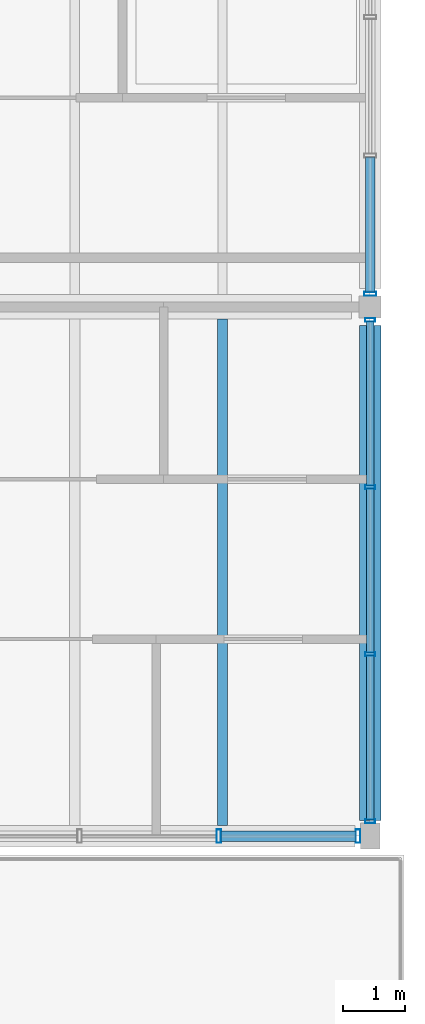
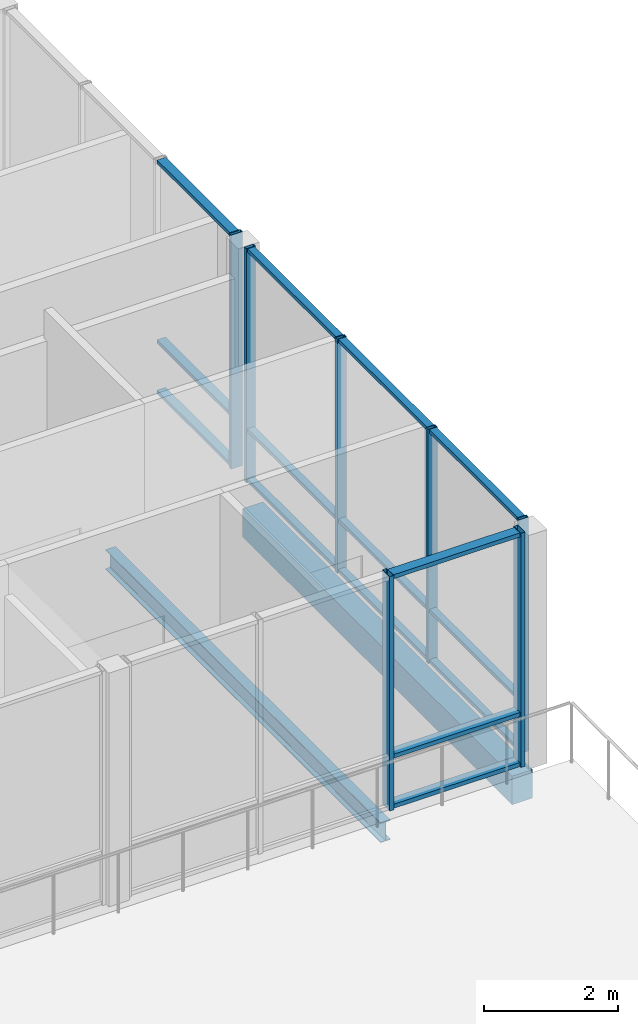
# One storey, part 93 of 146: 22 members, 2 beams, 3 elements without a shape of their own.
"""IFC4 building model written with IfcOpenShell, lengths in metres."""

import ifcopenshell
import ifcopenshell.guid

model = None  # the IFC model being written
_history = None  # IfcOwnerHistory: only IFC2X3 demands one
_inside = {}  # id of a spatial element -> (the spatial element, [elements in it])
_under = {}  # id of a project, library or spatial element -> (it, [spatial elements below it])
_declared = {}  # id of a project -> (the project, [libraries it declares])
_typed = {}  # id of a type object -> (the type object, [elements of that type])
_made_of = {}  # id of a material, layer set ... -> (it, [elements and type objects made of it])


def new_model(schema):
    """Start an empty IFC model of exactly this schema.

    Asked for "IFC4X3", IfcOpenShell would pick the latest addendum, in which some entities
    have other attributes; the version numbers below select the first issue.
    IFC2X3 requires an IfcOwnerHistory on every rooted entity: one is made here for all.
    """
    global model, _history
    if schema == "IFC4X3":
        model = ifcopenshell.file(schema_version=(4, 3, 0, 0))
    else:
        model = ifcopenshell.file(schema=schema)
    _inside.clear()
    _under.clear()
    _declared.clear()
    _typed.clear()
    _made_of.clear()
    _history = None
    if model.schema == "IFC2X3":
        org = make("IfcOrganization", Name="unknown")
        user = make(
            "IfcPersonAndOrganization",
            ThePerson=make("IfcPerson", FamilyName="unknown"),
            TheOrganization=org,
        )
        app = make(
            "IfcApplication",
            ApplicationDeveloper=org,
            Version="unknown",
            ApplicationFullName="unknown",
            ApplicationIdentifier="unknown",
        )
        _history = make(
            "IfcOwnerHistory",
            OwningUser=user,
            OwningApplication=app,
            ChangeAction="ADDED",
            CreationDate=0,
        )
    return model


def make(cls, **values):
    """One entity of the class cls with the attributes given. An attribute that is None is left unset."""
    return model.create_entity(
        cls, **{name: value for name, value in values.items() if value is not None}
    )


def rooted(cls, **values):
    """An entity with a GlobalId (a new one), such as an element, a storey or a relation."""
    return make(cls, GlobalId=ifcopenshell.guid.new(), OwnerHistory=_history, **values)


def si_unit(unit_type, name, prefix=None):
    """IfcSIUnit, for example si_unit("LENGTHUNIT", "METRE", prefix="MILLI")."""
    return make("IfcSIUnit", UnitType=unit_type, Prefix=prefix, Name=name)


def assignment(units):
    """IfcUnitAssignment: the units of a project."""
    return None if units is None else make("IfcUnitAssignment", Units=units)


def point(xyz):
    """IfcCartesianPoint."""
    return None if xyz is None else make("IfcCartesianPoint", Coordinates=xyz)


def direction(xyz):
    """IfcDirection."""
    return None if xyz is None else make("IfcDirection", DirectionRatios=xyz)


def frame(location, z_axis=None, x_axis=None):
    """IfcAxis2Placement3D, a coordinate frame: its origin and axes. An axis left out is left unset."""
    return make(
        "IfcAxis2Placement3D",
        Location=point(location),
        Axis=direction(z_axis),
        RefDirection=direction(x_axis),
    )


def frame_2d(location, x_axis=None):
    """IfcAxis2Placement2D, a coordinate frame in the plane: its origin and x axis."""
    return make(
        "IfcAxis2Placement2D", Location=point(location), RefDirection=direction(x_axis)
    )


def origin():
    """The frame at (0, 0, 0) with its axes left unset."""
    return frame((0.0, 0.0, 0.0))


def origin_2d():
    """The frame at (0, 0) in the plane with its x axis left unset."""
    return frame_2d((0.0, 0.0))


def place(relative_to, where):
    """IfcLocalPlacement: puts the frame where relative to a parent placement (None: the world)."""
    return make(
        "IfcLocalPlacement", PlacementRelTo=relative_to, RelativePlacement=where
    )


def context(
    kind, dimensions, precision=None, world=None, true_north=None, identifier=None
):
    """IfcGeometricRepresentationContext, for example the 3D "Model" context."""
    return make(
        "IfcGeometricRepresentationContext",
        ContextIdentifier=identifier,
        ContextType=kind,
        CoordinateSpaceDimension=dimensions,
        Precision=precision,
        WorldCoordinateSystem=world,
        TrueNorth=true_north,
    )


def subcontext(parent, identifier, kind, view, scale=None):
    """IfcGeometricRepresentationSubContext, for example "Body" below "Model"."""
    return make(
        "IfcGeometricRepresentationSubContext",
        ContextIdentifier=identifier,
        ContextType=kind,
        ParentContext=parent,
        TargetScale=scale,
        TargetView=view,
    )


def project(units=None, contexts=None):
    """IfcProject with its units and contexts."""
    return rooted(
        "IfcProject",
        Name="project",
        RepresentationContexts=contexts,
        UnitsInContext=assignment(units),
    )


def spatial(cls, under=None, at=None, **own):
    """A site, building, storey or space (cls), placed at a placement, below another one or the project."""
    s = rooted(cls, ObjectPlacement=at, **own)
    if under is not None:
        _under.setdefault(under.id(), (under, []))[1].append(s)
    return s


def profile(cls, at=None, kind="AREA", **sizes):
    """A parametric profile (cls). Its sizes go by their IFC names, for example OverallWidth=200.0."""
    return make(cls, ProfileType=kind, Position=at, **sizes)


def rectangle(**sizes):
    """IfcRectangleProfileDef."""
    return profile("IfcRectangleProfileDef", **sizes)


def hollow_rectangle(**sizes):
    """IfcRectangleHollowProfileDef."""
    return profile("IfcRectangleHollowProfileDef", **sizes)


def i_section(**sizes):
    """IfcIShapeProfileDef."""
    return profile("IfcIShapeProfileDef", **sizes)


def extrude(swept, where, along, depth):
    """IfcExtrudedAreaSolid: the profile swept, set in the frame where, extruded along a direction by depth."""
    return make(
        "IfcExtrudedAreaSolid",
        SweptArea=swept,
        Position=where,
        ExtrudedDirection=direction(along),
        Depth=depth,
    )


def shape(context_of_items, identifier, shape_type, items):
    """IfcShapeRepresentation: the items that make up one representation, for example the "Body"."""
    return make(
        "IfcShapeRepresentation",
        ContextOfItems=context_of_items,
        RepresentationIdentifier=identifier,
        RepresentationType=shape_type,
        Items=items,
    )


def material(Name=None, Category=None):
    """IfcMaterial."""
    return make("IfcMaterial", Name=Name, Category=Category)


def material_profile(
    of_material, cross_section, Name=None, Category=None, Priority=None
):
    """IfcMaterialProfile: a cross section and its material."""
    return make(
        "IfcMaterialProfile",
        Name=Name,
        Material=of_material,
        Profile=cross_section,
        Priority=Priority,
        Category=Category,
    )


def profile_set(profiles, Name=None, composite=None):
    """IfcMaterialProfileSet."""
    return make(
        "IfcMaterialProfileSet",
        Name=Name,
        MaterialProfiles=profiles,
        CompositeProfile=composite,
    )


def made_of(thing, what):
    """Note that an element or type object is made of a material, layer set ...; save() writes the relation."""
    if what is not None:
        _made_of.setdefault(what.id(), (what, []))[1].append(thing)
    return thing


def type_object(cls, material=None, **own):
    """A type object (cls), such as IfcWallType, which elements share."""
    return made_of(rooted(cls, **own), material)


def element(
    cls,
    number,
    at=None,
    inside=None,
    cuts=None,
    type_object=None,
    material=None,
    context=None,
    identifier="Body",
    shape_type=None,
    held_by="IfcProductDefinitionShape",
    body=None,
    shapes=None,
    **own,
):
    """One element of the class cls, such as IfcWall. Its Tag is "e" and its number.

    at: its placement. inside: the storey or other place that contains it. cuts: it is an
    opening in that element (IfcRelVoidsElement). A single representation is given by context,
    identifier, shape_type and body (its items); several are given by shapes. held_by: the class
    of the entity that holds the representations. save() writes the other relations.
    """
    e = rooted(cls, Tag="e%d" % number, ObjectPlacement=at, **own)
    if body is not None:
        shapes = [shape(context, identifier, shape_type, body)]
    if shapes is not None:
        e.Representation = make(held_by, Representations=shapes)
    if inside is not None:
        _inside.setdefault(inside.id(), (inside, []))[1].append(e)
    if cuts is not None:
        rooted(
            "IfcRelVoidsElement", RelatingBuildingElement=cuts, RelatedOpeningElement=e
        )
    if type_object is not None:
        _typed.setdefault(type_object.id(), (type_object, []))[1].append(e)
    return made_of(e, material)


def aggregate(whole, parts):
    """IfcRelAggregates: a whole, such as a stair, and the parts it consists of."""
    return rooted("IfcRelAggregates", RelatingObject=whole, RelatedObjects=parts)


def save(model, path):
    """Write the relations noted so far, then the file.

    IfcRelAggregates (storeys below a building ...), IfcRelContainedInSpatialStructure (elements
    in a storey), IfcRelDefinesByType, IfcRelAssociatesMaterial and IfcRelDeclares: one each for
    every whole, place, type object, material and project.
    """
    for whole, parts in _under.values():
        aggregate(whole, parts)
    for where, things in _inside.values():
        rooted(
            "IfcRelContainedInSpatialStructure",
            RelatedElements=things,
            RelatingStructure=where,
        )
    for kind, things in _typed.values():
        rooted("IfcRelDefinesByType", RelatedObjects=things, RelatingType=kind)
    for what, things in _made_of.values():
        rooted("IfcRelAssociatesMaterial", RelatedObjects=things, RelatingMaterial=what)
    for by, libraries in _declared.values():
        rooted("IfcRelDeclares", RelatingContext=by, RelatedDefinitions=libraries)
    model.write(path)


model = new_model("IFC4")

# Units and contexts
model_context = context("Model", 3, precision=1e-05, world=origin(), true_north=direction((0.0, 1.0)))
body_context = subcontext(model_context, "Body", "Model", "MODEL_VIEW")
ifc_project = project(units=[si_unit("LENGTHUNIT", "METRE"), si_unit("AREAUNIT", "SQUARE_METRE"), si_unit("VOLUMEUNIT", "CUBIC_METRE"), si_unit("PLANEANGLEUNIT", "RADIAN"), si_unit("MASSUNIT", "GRAM", prefix="KILO")], contexts=[model_context])

# Site, building, storey
site_placement = place(None, origin())
site = spatial("IfcSite", under=ifc_project, at=site_placement, CompositionType="ELEMENT")
building_placement = place(site_placement, origin())
building = spatial("IfcBuilding", under=site, at=building_placement, Name="Hawrajan Terrace Health Centre", CompositionType="ELEMENT")
storey_placement = place(building_placement, frame((0.0, 0.0, 4.5)))
storey = spatial("IfcBuildingStorey", under=building, at=storey_placement, Name="L01", CompositionType="ELEMENT", Elevation=4.5)

# Curtain wall, members
ifc_material_1 = material(Name="Anodized bronze aluminium and low-E solar glazing", Category="aluminium")
curtain_wall_type_1 = type_object("IfcCurtainWallType", Name="CW_Clerestory_SeriesG3", PredefinedType="USERDEFINED", material=ifc_material_1)
curtain_wall_1_placement = place(storey_placement, origin())
curtain_wall_1 = element("IfcCurtainWall", 1, at=curtain_wall_1_placement, inside=storey, type_object=curtain_wall_type_1, Name="Curtain wall CW-L01-114", ObjectType="UNITISED CURTAIN WALL", PredefinedType="USERDEFINED")
ifc_material_2 = material(Name="Anodized bronze aluminium 6063-T6", Category="aluminium")
ifc_material_profile_1 = material_profile(ifc_material_2, hollow_rectangle(XDim=0.06494140625, YDim=0.159912109375, WallThickness=0.00390625, at=origin_2d()), Name="CW MUL 65x160")
ifc_profile_set_1 = profile_set([ifc_material_profile_1], Name="Anodized bronze aluminium 6063-T6")
member_type_1 = type_object("IfcMemberType", Name="CWMullion_65x160", PredefinedType="MULLION", material=ifc_profile_set_1)
member_1_placement = place(storey_placement, frame((165.39990234375, 37.04248046875, -0.0048828125), z_axis=(0.0, 0.0, 1.0), x_axis=(0.0, 1.0, 0.0)))
member_1 = element("IfcMember", 2, at=member_1_placement, type_object=member_type_1, Name="Mullion CW-L01-114-M1", PredefinedType="MULLION", context=body_context, shape_type="SweptSolid", body=[
    extrude(hollow_rectangle(XDim=0.06494140625, YDim=0.159912109375, WallThickness=0.00390625, at=origin_2d()), origin(), (0.0, 0.0, 1.0), 4.269775390625),
])
member_2_placement = place(storey_placement, frame((165.39990234375, 39.757568359375, -0.0048828125), z_axis=(0.0, 0.0, 1.0), x_axis=(0.0, 1.0, 0.0)))
member_2 = element("IfcMember", 3, at=member_2_placement, type_object=member_type_1, Name="Mullion CW-L01-114-M2", PredefinedType="MULLION", context=body_context, shape_type="SweptSolid", body=[
    extrude(hollow_rectangle(XDim=0.06494140625, YDim=0.159912109375, WallThickness=0.00390625, at=origin_2d()), origin(), (0.0, 0.0, 1.0), 4.269775390625),
])
member_3_placement = place(storey_placement, frame((165.39990234375, 42.472412109375, -0.0048828125), z_axis=(0.0, 0.0, 1.0), x_axis=(0.0, 1.0, 0.0)))
member_3 = element("IfcMember", 4, at=member_3_placement, type_object=member_type_1, Name="Mullion CW-L01-114-M3", PredefinedType="MULLION", context=body_context, shape_type="SweptSolid", body=[
    extrude(hollow_rectangle(XDim=0.06494140625, YDim=0.159912109375, WallThickness=0.00390625, at=origin_2d()), origin(), (0.0, 0.0, 1.0), 4.269775390625),
])
member_4_placement = place(storey_placement, frame((165.39990234375, 45.1875, -0.0048828125), z_axis=(0.0, 0.0, 1.0), x_axis=(0.0, 1.0, 0.0)))
member_4 = element("IfcMember", 5, at=member_4_placement, type_object=member_type_1, Name="Mullion CW-L01-114-M4", PredefinedType="MULLION", context=body_context, shape_type="SweptSolid", body=[
    extrude(hollow_rectangle(XDim=0.06494140625, YDim=0.159912109375, WallThickness=0.00390625, at=origin_2d()), origin(), (0.0, 0.0, 1.0), 4.269775390625),
])

# Curtain wall, member
curtain_wall_type_2 = type_object("IfcCurtainWallType", Name="CW_Vestibule_SeriesH1", PredefinedType="USERDEFINED", material=ifc_material_1)
curtain_wall_2_placement = place(storey_placement, origin())
curtain_wall_2 = element("IfcCurtainWall", 6, at=curtain_wall_2_placement, inside=storey, type_object=curtain_wall_type_2, Name="Curtain wall CW-L01-115", ObjectType="UNITISED CURTAIN WALL", PredefinedType="USERDEFINED")
ifc_material_profile_2 = material_profile(ifc_material_2, hollow_rectangle(XDim=0.06494140625, YDim=0.199951171875, WallThickness=0.00439453125, at=origin_2d()), Name="CW MUL 65x200")
ifc_profile_set_2 = profile_set([ifc_material_profile_2], Name="Anodized bronze aluminium 6063-T6")
member_type_2 = type_object("IfcMemberType", Name="CWMullion_65x200", PredefinedType="MULLION", material=ifc_profile_set_2)
member_5_placement = place(storey_placement, frame((165.39990234375, 45.612548828125, -0.0048828125), z_axis=(0.0, 0.0, 1.0), x_axis=(0.0, 1.0, 0.0)))
member_5 = element("IfcMember", 7, at=member_5_placement, type_object=member_type_2, Name="Mullion CW-L01-115-M1", PredefinedType="MULLION", context=body_context, shape_type="SweptSolid", body=[
    extrude(hollow_rectangle(XDim=0.06494140625, YDim=0.199951171875, WallThickness=0.00439453125, at=origin_2d()), origin(), (0.0, 0.0, 1.0), 4.269775390625),
])

# Curtain wall, members
curtain_wall_type_3 = type_object("IfcCurtainWallType", Name="CW_Clerestory_SeriesG2", PredefinedType="USERDEFINED", material=ifc_material_1)
curtain_wall_3_placement = place(storey_placement, origin())
curtain_wall_3 = element("IfcCurtainWall", 8, at=curtain_wall_3_placement, inside=storey, type_object=curtain_wall_type_3, Name="Curtain wall CW-L01-113", ObjectType="UNITISED CURTAIN WALL", PredefinedType="USERDEFINED")
ifc_material_profile_3 = material_profile(ifc_material_2, hollow_rectangle(XDim=0.074951171875, YDim=0.219970703125, WallThickness=0.0048828125, at=origin_2d()), Name="CW MUL 75x220")
ifc_profile_set_3 = profile_set([ifc_material_profile_3], Name="Anodized bronze aluminium 6063-T6")
member_type_3 = type_object("IfcMemberType", Name="CWMullion_75x220", PredefinedType="MULLION", material=ifc_profile_set_3)
member_6_placement = place(storey_placement, frame((162.94091796875, 36.800048828125, -0.0048828125), z_axis=(0.0, 0.0, 1.0), x_axis=(1.0, 0.0, 0.0)))
member_6 = element("IfcMember", 9, at=member_6_placement, type_object=member_type_3, Name="Mullion CW-L01-113-M3", PredefinedType="MULLION", context=body_context, shape_type="SweptSolid", body=[
    extrude(hollow_rectangle(XDim=0.074951171875, YDim=0.219970703125, WallThickness=0.0048828125, at=origin_2d()), origin(), (0.0, 0.0, 1.0), 4.269775390625),
])
member_7_placement = place(storey_placement, frame((165.202392578125, 36.800048828125, -0.0048828125), z_axis=(0.0, 0.0, 1.0), x_axis=(1.0, 0.0, 0.0)))
member_7 = element("IfcMember", 10, at=member_7_placement, type_object=member_type_3, Name="Mullion CW-L01-113-M4", PredefinedType="MULLION", context=body_context, shape_type="SweptSolid", body=[
    extrude(hollow_rectangle(XDim=0.074951171875, YDim=0.219970703125, WallThickness=0.0048828125, at=origin_2d()), origin(), (0.0, 0.0, 1.0), 4.269775390625),
])

# Member
ifc_material_profile_4 = material_profile(ifc_material_2, hollow_rectangle(XDim=0.06494140625, YDim=0.1201171875, WallThickness=0.00341796875, at=origin_2d()), Name="CW TRN 65x120")
ifc_profile_set_4 = profile_set([ifc_material_profile_4], Name="Anodized bronze aluminium 6063-T6")
member_type_4 = type_object("IfcMemberType", Name="CWTransom_65x120", PredefinedType="USERDEFINED", material=ifc_profile_set_4)
member_8_placement = place(storey_placement, frame((165.39990234375, 37.069091796875, 0.032470703125), z_axis=(0.0, 1.0, 0.0), x_axis=(0.0, 0.0, 1.0)))
member_8 = element("IfcMember", 11, at=member_8_placement, type_object=member_type_4, Name="Transom CW-L01-114-T1-1", ObjectType="TRANSOM", PredefinedType="USERDEFINED", context=body_context, shape_type="SweptSolid", body=[
    extrude(hollow_rectangle(XDim=0.06494140625, YDim=0.1201171875, WallThickness=0.00341796875, at=origin_2d()), origin(), (0.0, 0.0, 1.0), 2.661865234375),
])

member_9_placement = place(storey_placement, frame((165.39990234375, 37.069091796875, 0.949951171875), z_axis=(0.0, 1.0, 0.0), x_axis=(0.0, 0.0, 1.0)))
member_9 = element("IfcMember", 12, at=member_9_placement, type_object=member_type_4, Name="Transom CW-L01-114-T1-2", ObjectType="TRANSOM", PredefinedType="USERDEFINED", context=body_context, shape_type="SweptSolid", body=[
    extrude(hollow_rectangle(XDim=0.06494140625, YDim=0.1201171875, WallThickness=0.00341796875, at=origin_2d()), origin(), (0.0, 0.0, 1.0), 2.661865234375),
])

member_10_placement = place(storey_placement, frame((165.39990234375, 37.069091796875, 4.2275390625), z_axis=(0.0, 1.0, 0.0), x_axis=(0.0, 0.0, 1.0)))
member_10 = element("IfcMember", 13, at=member_10_placement, type_object=member_type_4, Name="Transom CW-L01-114-T1-3", ObjectType="TRANSOM", PredefinedType="USERDEFINED", context=body_context, shape_type="SweptSolid", body=[
    extrude(hollow_rectangle(XDim=0.06494140625, YDim=0.1201171875, WallThickness=0.00341796875, at=origin_2d()), origin(), (0.0, 0.0, 1.0), 2.661865234375),
])

member_11_placement = place(storey_placement, frame((165.39990234375, 39.783935546875, 0.032470703125), z_axis=(0.0, 1.0, 0.0), x_axis=(0.0, 0.0, 1.0)))
member_11 = element("IfcMember", 14, at=member_11_placement, type_object=member_type_4, Name="Transom CW-L01-114-T2-1", ObjectType="TRANSOM", PredefinedType="USERDEFINED", context=body_context, shape_type="SweptSolid", body=[
    extrude(hollow_rectangle(XDim=0.06494140625, YDim=0.1201171875, WallThickness=0.00341796875, at=origin_2d()), origin(), (0.0, 0.0, 1.0), 2.662109375),
])

member_12_placement = place(storey_placement, frame((165.39990234375, 39.783935546875, 0.949951171875), z_axis=(0.0, 1.0, 0.0), x_axis=(0.0, 0.0, 1.0)))
member_12 = element("IfcMember", 15, at=member_12_placement, type_object=member_type_4, Name="Transom CW-L01-114-T2-2", ObjectType="TRANSOM", PredefinedType="USERDEFINED", context=body_context, shape_type="SweptSolid", body=[
    extrude(hollow_rectangle(XDim=0.06494140625, YDim=0.1201171875, WallThickness=0.00341796875, at=origin_2d()), origin(), (0.0, 0.0, 1.0), 2.662109375),
])

member_13_placement = place(storey_placement, frame((165.39990234375, 39.783935546875, 4.2275390625), z_axis=(0.0, 1.0, 0.0), x_axis=(0.0, 0.0, 1.0)))
member_13 = element("IfcMember", 16, at=member_13_placement, type_object=member_type_4, Name="Transom CW-L01-114-T2-3", ObjectType="TRANSOM", PredefinedType="USERDEFINED", context=body_context, shape_type="SweptSolid", body=[
    extrude(hollow_rectangle(XDim=0.06494140625, YDim=0.1201171875, WallThickness=0.00341796875, at=origin_2d()), origin(), (0.0, 0.0, 1.0), 2.662109375),
])

member_14_placement = place(storey_placement, frame((165.39990234375, 42.4990234375, 0.032470703125), z_axis=(0.0, 1.0, 0.0), x_axis=(0.0, 0.0, 1.0)))
member_14 = element("IfcMember", 17, at=member_14_placement, type_object=member_type_4, Name="Transom CW-L01-114-T3-1", ObjectType="TRANSOM", PredefinedType="USERDEFINED", context=body_context, shape_type="SweptSolid", body=[
    extrude(hollow_rectangle(XDim=0.06494140625, YDim=0.1201171875, WallThickness=0.00341796875, at=origin_2d()), origin(), (0.0, 0.0, 1.0), 2.661865234375),
])

member_15_placement = place(storey_placement, frame((165.39990234375, 42.4990234375, 0.949951171875), z_axis=(0.0, 1.0, 0.0), x_axis=(0.0, 0.0, 1.0)))
member_15 = element("IfcMember", 18, at=member_15_placement, type_object=member_type_4, Name="Transom CW-L01-114-T3-2", ObjectType="TRANSOM", PredefinedType="USERDEFINED", context=body_context, shape_type="SweptSolid", body=[
    extrude(hollow_rectangle(XDim=0.06494140625, YDim=0.1201171875, WallThickness=0.00341796875, at=origin_2d()), origin(), (0.0, 0.0, 1.0), 2.661865234375),
])

member_16_placement = place(storey_placement, frame((165.39990234375, 42.4990234375, 4.2275390625), z_axis=(0.0, 1.0, 0.0), x_axis=(0.0, 0.0, 1.0)))
member_16 = element("IfcMember", 19, at=member_16_placement, type_object=member_type_4, Name="Transom CW-L01-114-T3-3", ObjectType="TRANSOM", PredefinedType="USERDEFINED", context=body_context, shape_type="SweptSolid", body=[
    extrude(hollow_rectangle(XDim=0.06494140625, YDim=0.1201171875, WallThickness=0.00341796875, at=origin_2d()), origin(), (0.0, 0.0, 1.0), 2.661865234375),
])

aggregate(curtain_wall_1, [member_1, member_2, member_3, member_4, member_8, member_9, member_10, member_11, member_12, member_13, member_14, member_15, member_16])

ifc_material_profile_5 = material_profile(ifc_material_2, hollow_rectangle(XDim=0.06494140625, YDim=0.14990234375, WallThickness=0.00390625, at=origin_2d()), Name="CW TRN 65x150")
ifc_profile_set_5 = profile_set([ifc_material_profile_5], Name="Anodized bronze aluminium 6063-T6")
member_type_5 = type_object("IfcMemberType", Name="CWTransom_65x150", PredefinedType="USERDEFINED", material=ifc_profile_set_5)
member_17_placement = place(storey_placement, frame((165.39990234375, 45.638916015625, 0.032470703125), z_axis=(0.0, 1.0, 0.0), x_axis=(0.0, 0.0, 1.0)))
member_17 = element("IfcMember", 20, at=member_17_placement, type_object=member_type_5, Name="Transom CW-L01-115-T1-1", ObjectType="TRANSOM", PredefinedType="USERDEFINED", context=body_context, shape_type="SweptSolid", body=[
    extrude(hollow_rectangle(XDim=0.06494140625, YDim=0.14990234375, WallThickness=0.00390625, at=origin_2d()), origin(), (0.0, 0.0, 1.0), 2.1953125),
])

member_18_placement = place(storey_placement, frame((165.39990234375, 45.638916015625, 0.949951171875), z_axis=(0.0, 1.0, 0.0), x_axis=(0.0, 0.0, 1.0)))
member_18 = element("IfcMember", 21, at=member_18_placement, type_object=member_type_5, Name="Transom CW-L01-115-T1-2", ObjectType="TRANSOM", PredefinedType="USERDEFINED", context=body_context, shape_type="SweptSolid", body=[
    extrude(hollow_rectangle(XDim=0.06494140625, YDim=0.14990234375, WallThickness=0.00390625, at=origin_2d()), origin(), (0.0, 0.0, 1.0), 2.1953125),
])

member_19_placement = place(storey_placement, frame((165.39990234375, 45.638916015625, 4.2275390625), z_axis=(0.0, 1.0, 0.0), x_axis=(0.0, 0.0, 1.0)))
member_19 = element("IfcMember", 22, at=member_19_placement, type_object=member_type_5, Name="Transom CW-L01-115-T1-3", ObjectType="TRANSOM", PredefinedType="USERDEFINED", context=body_context, shape_type="SweptSolid", body=[
    extrude(hollow_rectangle(XDim=0.06494140625, YDim=0.14990234375, WallThickness=0.00390625, at=origin_2d()), origin(), (0.0, 0.0, 1.0), 2.1953125),
])

aggregate(curtain_wall_2, [member_5, member_17, member_18, member_19])

ifc_material_profile_6 = material_profile(ifc_material_2, hollow_rectangle(XDim=0.074951171875, YDim=0.169921875, WallThickness=0.00439453125, at=origin_2d()), Name="CW TRN 75x170")
ifc_profile_set_6 = profile_set([ifc_material_profile_6], Name="Anodized bronze aluminium 6063-T6")
member_type_6 = type_object("IfcMemberType", Name="CWTransom_75x170", PredefinedType="USERDEFINED", material=ifc_profile_set_6)
member_20_placement = place(storey_placement, frame((162.972412109375, 36.800048828125, 0.03759765625), z_axis=(1.0, 0.0, 0.0), x_axis=(0.0, 0.0, 1.0)))
member_20 = element("IfcMember", 23, at=member_20_placement, type_object=member_type_6, Name="Transom CW-L01-113-T3-1", ObjectType="TRANSOM", PredefinedType="USERDEFINED", context=body_context, shape_type="SweptSolid", body=[
    extrude(hollow_rectangle(XDim=0.074951171875, YDim=0.169921875, WallThickness=0.00439453125, at=origin_2d()), origin(), (0.0, 0.0, 1.0), 2.198486328125),
])

member_21_placement = place(storey_placement, frame((162.972412109375, 36.800048828125, 0.949951171875), z_axis=(1.0, 0.0, 0.0), x_axis=(0.0, 0.0, 1.0)))
member_21 = element("IfcMember", 24, at=member_21_placement, type_object=member_type_6, Name="Transom CW-L01-113-T3-2", ObjectType="TRANSOM", PredefinedType="USERDEFINED", context=body_context, shape_type="SweptSolid", body=[
    extrude(hollow_rectangle(XDim=0.074951171875, YDim=0.169921875, WallThickness=0.00439453125, at=origin_2d()), origin(), (0.0, 0.0, 1.0), 2.198486328125),
])

member_22_placement = place(storey_placement, frame((162.972412109375, 36.800048828125, 4.222412109375), z_axis=(1.0, 0.0, 0.0), x_axis=(0.0, 0.0, 1.0)))
member_22 = element("IfcMember", 25, at=member_22_placement, type_object=member_type_6, Name="Transom CW-L01-113-T3-3", ObjectType="TRANSOM", PredefinedType="USERDEFINED", context=body_context, shape_type="SweptSolid", body=[
    extrude(hollow_rectangle(XDim=0.074951171875, YDim=0.169921875, WallThickness=0.00439453125, at=origin_2d()), origin(), (0.0, 0.0, 1.0), 2.198486328125),
])

aggregate(curtain_wall_3, [member_6, member_7, member_20, member_21, member_22])

# Beams
ifc_material_3 = material(Name="Concrete C40/50", Category="concrete")
ifc_material_profile_7 = material_profile(ifc_material_3, rectangle(XDim=0.35009765625, YDim=0.52001953125, at=origin_2d()), Name="RC SP 350x520")
ifc_profile_set_7 = profile_set([ifc_material_profile_7], Name="Concrete C40/50")
beam_type_1 = type_object("IfcBeamType", Name="RCSpandrel_350x520", PredefinedType="SPANDREL", material=ifc_profile_set_7)
beam_1_placement = place(storey_placement, frame((165.39990234375, 37.050048828125, -0.659912109375), z_axis=(0.0, 1.0, 0.0), x_axis=(-1.0, 0.0, 0.0)))
element("IfcBeam", 26, at=beam_1_placement, inside=storey, type_object=beam_type_1, Name="Beam BM-Y-L01-E-X22-5", PredefinedType="SPANDREL", context=body_context, shape_type="SweptSolid", body=[
    extrude(rectangle(XDim=0.35009765625, YDim=0.52001953125, at=origin_2d()), origin(), (0.0, 0.0, 1.0), 8.050048828125),
])
ifc_material_4 = material(Name="Steel S355", Category="steel")
ifc_material_profile_8 = material_profile(ifc_material_4, i_section(OverallWidth=0.169921875, OverallDepth=0.360107421875, WebThickness=0.008056640625, FlangeThickness=0.0126953125, FilletRadius=0.01806640625, at=origin_2d()), Name="IPE 360")
ifc_profile_set_8 = profile_set([ifc_material_profile_8], Name="Steel S355")
beam_type_2 = type_object("IfcBeamType", Name="SteelBeam_IPE360", PredefinedType="BEAM", material=ifc_profile_set_8)
beam_2_placement = place(storey_placement, frame((163.0, 36.97509765625, -0.580078125), z_axis=(0.0, 1.0, 0.0), x_axis=(-1.0, 0.0, 0.0)))
element("IfcBeam", 27, at=beam_2_placement, inside=storey, type_object=beam_type_2, Name="Secondary joist JST-L01-E-21-5-2", PredefinedType="BEAM", context=body_context, shape_type="SweptSolid", body=[
    extrude(i_section(OverallWidth=0.169921875, OverallDepth=0.360107421875, WebThickness=0.008056640625, FlangeThickness=0.0126953125, FilletRadius=0.01806640625, at=origin_2d()), origin(), (0.0, 0.0, 1.0), 8.224853515625),
])

save(model, "model.ifc")
